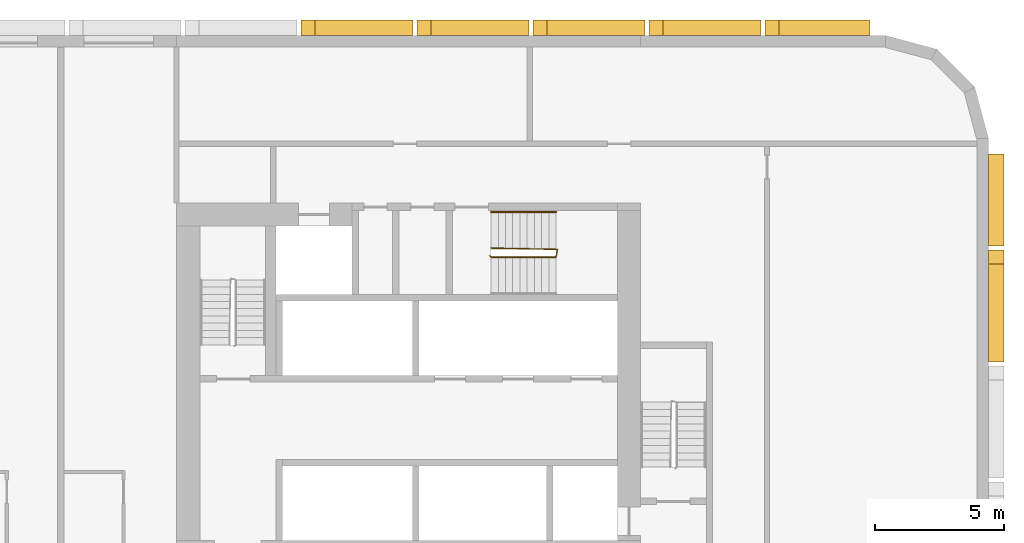
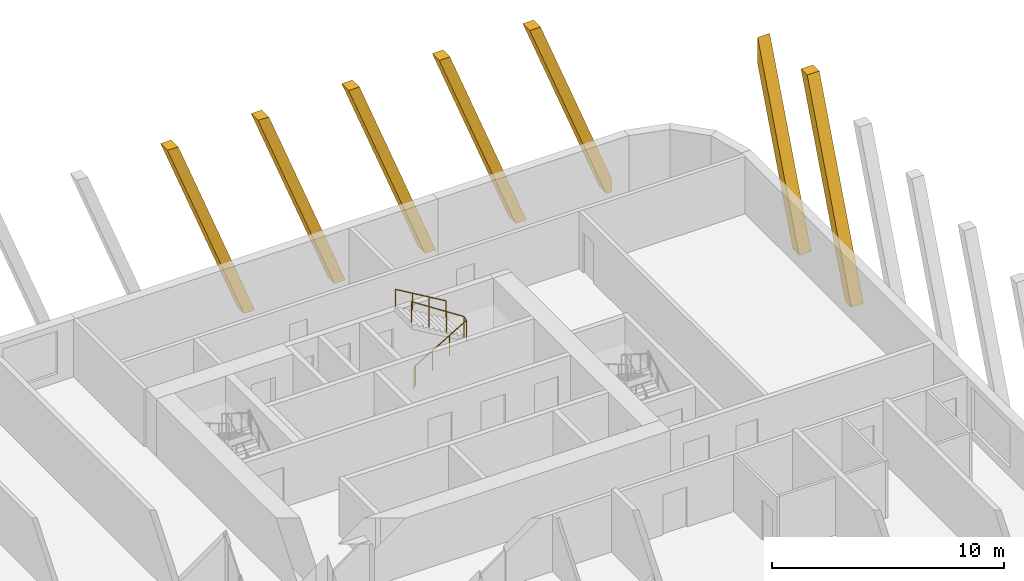
# One storey, part 13 of 13: 7 coverings, 2 railings.
"""IFC4 building model written with IfcOpenShell, lengths in metres."""

from ifc_helpers import new_model, si_unit, direction, frame, origin, origin_2d, place, context, subcontext, project, spatial, polyline, rectangle, circle, outline, extrude, material, material_profile, profile_set, type_object, element, save


model = new_model("IFC4")

# Units and contexts
model_context = context("Model", 3, precision=1e-05, world=origin(), true_north=direction((0.0, 1.0)))
body_context = subcontext(model_context, "Body", "Model", "MODEL_VIEW")
ifc_project = project(units=[si_unit("LENGTHUNIT", "METRE"), si_unit("AREAUNIT", "SQUARE_METRE"), si_unit("VOLUMEUNIT", "CUBIC_METRE"), si_unit("PLANEANGLEUNIT", "RADIAN"), si_unit("MASSUNIT", "GRAM", prefix="KILO")], contexts=[model_context])

# Site, building, storey
site_placement = place(None, origin())
site = spatial("IfcSite", under=ifc_project, at=site_placement, CompositionType="ELEMENT")
building_placement = place(site_placement, origin())
building = spatial("IfcBuilding", under=site, at=building_placement, Name="Kajstack Hotel Tower", CompositionType="ELEMENT")
storey_placement = place(building_placement, frame((0.0, 0.0, 60.0)))
storey = spatial("IfcBuildingStorey", under=building, at=storey_placement, Name="L09", CompositionType="ELEMENT", Elevation=60.0)

# Coverings
ifc_material_1 = material(Name="Terracotta", Category="masonry")
ifc_material_profile = material_profile(ifc_material_1, rectangle(XDim=0.60009765625, YDim=0.5, at=origin_2d()), Name="Terracotta-clad concrete baguette 500 x 600")
ifc_profile_set = profile_set([ifc_material_profile], Name="Terracotta")
covering_type = type_object("IfcCoveringType", Name="BAGUETTE 500x600", PredefinedType="CLADDING", material=ifc_profile_set)
covering_1_placement = place(storey_placement, frame((45.0, 9.332275390625, 0.0), z_axis=(1.0, 0.0, 0.0), x_axis=(0.0, 1.0, 0.0)))
element("IfcCovering", 1, at=covering_1_placement, inside=storey, type_object=covering_type, Name="Baguette L09-07-024", PredefinedType="CLADDING", context=body_context, shape_type="SweptSolid", body=[
    extrude(outline(polyline([(3.80029296875, 9.89990234375), (0.0, 0.0), (0.53564453125, 0.0), (4.3359375, 9.89990234375), (3.80029296875, 9.89990234375)])), origin(), (0.0, 0.0, 1.0), 0.60009765625),
])
covering_2_placement = place(storey_placement, frame((45.0, 13.832275390625, 0.0), z_axis=(1.0, 0.0, 0.0), x_axis=(0.0, 1.0, 0.0)))
element("IfcCovering", 2, at=covering_2_placement, inside=storey, type_object=covering_type, Name="Baguette L09-07-028", PredefinedType="CLADDING", context=body_context, shape_type="SweptSolid", body=[
    extrude(outline(polyline([(0.53564453125, 0.0), (3.56787109375, 7.899169921875), (3.56787109375, 9.29443359375), (0.0, 0.0), (0.53564453125, 0.0)])), origin(), (0.0, 0.0, 1.0), 0.60009765625),
])
covering_3_placement = place(storey_placement, frame((40.39990234375, 22.0, 0.0), z_axis=(0.0, 1.0, 0.0), x_axis=(-1.0, 0.0, 0.0)))
element("IfcCovering", 3, at=covering_3_placement, inside=storey, type_object=covering_type, Name="Baguette L09-11-000", PredefinedType="CLADDING", context=body_context, shape_type="SweptSolid", body=[
    extrude(outline(polyline([(3.532470703125, 9.89990234375), (0.0, 0.697509765625), (0.0, 0.0), (0.267822265625, 0.0), (4.068115234375, 9.89990234375), (3.532470703125, 9.89990234375)])), origin(), (0.0, 0.0, 1.0), 0.60009765625),
])
for number, where, z_axis, x_axis, name in (
    (4, (36.167724609375, 22.0, 0.0), (0.0, 1.0, 0.0), (-1.0, 0.0, 0.0), "Baguette L09-11-004"),
    (5, (31.667724609375, 22.0, 0.0), (0.0, 1.0, 0.0), (-1.0, 0.0, 0.0), "Baguette L09-11-008"),
    (6, (27.167724609375, 22.0, 0.0), (0.0, 1.0, 0.0), (-1.0, 0.0, 0.0), "Baguette L09-11-012"),
    (7, (22.667724609375, 22.0, 0.0), (0.0, 1.0, 0.0), (-1.0, 0.0, 0.0), "Baguette L09-11-016"),
):
    element("IfcCovering", number, at=place(storey_placement, frame(where, z_axis=z_axis, x_axis=x_axis)), inside=storey, type_object=covering_type, Name=name, PredefinedType="CLADDING", context=body_context, shape_type="SweptSolid", body=[
        extrude(outline(polyline([(3.80029296875, 9.89990234375), (0.0, 0.0), (0.53564453125, 0.0), (4.3359375, 9.89990234375), (3.80029296875, 9.89990234375)])), origin(), (0.0, 0.0, 1.0), 0.60009765625),
    ])

# Railings
ifc_material_2 = material(Name="Steel S355J2", Category="steel")
railing_type_1 = type_object("IfcRailingType", Name="Stair guard 1100", PredefinedType="GUARDRAIL", material=ifc_material_2)
railing_1_placement = place(storey_placement, frame((25.64990234375, 13.449951171875, 0.0)))
element("IfcRailing", 8, at=railing_1_placement, inside=storey, type_object=railing_type_1, Name="L09 E3 stair guard 1", PredefinedType="GUARDRAIL", context=body_context, shape_type="SweptSolid", body=[
    extrude(circle(Radius=0.02392578125, at=origin_2d()), frame((0.0, 0.0, 1.076171875), z_axis=(0.278705021027, -0.278705021027, 0.919046801044), x_axis=(0.707106781187, 0.707106781187, 0.0)), (0.0, 0.0, 1.0), 0.1796875),
    extrude(circle(Radius=0.02392578125, at=origin_2d()), frame((0.050048828125, -0.050048828125, 1.2412109375), z_axis=(0.861560626758, 0.0, 0.507654692109), x_axis=(0.0, 1.0, 0.0)), (0.0, 0.0, 1.0), 2.925048828125),
    extrude(circle(Radius=0.02392578125, at=origin_2d()), frame((2.570068359375, -0.050048828125, 2.72607421875), z_axis=(0.164529134168, 0.986372223864, 0.0), x_axis=(-0.986372223864, 0.164529134168, 0.0)), (0.0, 0.0, 1.0), 0.30419921875),
    extrude(circle(Radius=0.02392578125, at=origin_2d()), frame((2.6201171875, 0.25, 2.72607421875), z_axis=(-0.84136925563, 0.016384601254, 0.540212292087), x_axis=(-0.019470042781, -0.999810440751, 0.0)), (0.0, 0.0, 1.0), 3.0546875),
    extrude(circle(Radius=0.02099609375, at=origin_2d()), origin(), (0.0, 0.0, 1.0), 1.052001953125),
    extrude(circle(Radius=0.02099609375, at=origin_2d()), frame((0.050048828125, -0.050048828125, 0.1650390625)), (0.0, 0.0, 1.0), 1.052001953125),
    extrude(circle(Radius=0.02099609375, at=origin_2d()), frame((0.89013671875, -0.050048828125, 0.659912109375)), (0.0, 0.0, 1.0), 1.052001953125),
    extrude(circle(Radius=0.02099609375, at=origin_2d()), frame((1.72998046875, -0.050048828125, 1.155029296875)), (0.0, 0.0, 1.0), 1.052001953125),
    extrude(circle(Radius=0.02099609375, at=origin_2d()), frame((2.570068359375, -0.050048828125, 1.64990234375)), (0.0, 0.0, 1.0), 1.052001953125),
    extrude(circle(Radius=0.02099609375, at=origin_2d()), frame((2.6201171875, 0.25, 1.64990234375)), (0.0, 0.0, 1.0), 1.052001953125),
    extrude(circle(Radius=0.02099609375, at=origin_2d()), frame((1.763427734375, 0.2666015625, 2.199951171875)), (0.0, 0.0, 1.0), 1.052001953125),
    extrude(circle(Radius=0.02099609375, at=origin_2d()), frame((0.90673828125, 0.283447265625, 2.75)), (0.0, 0.0, 1.0), 1.052001953125),
    extrude(circle(Radius=0.02099609375, at=origin_2d()), frame((0.050048828125, 0.300048828125, 3.300048828125)), (0.0, 0.0, 1.0), 1.052001953125),
])
railing_type_2 = type_object("IfcRailingType", Name="Stair handrail 900", PredefinedType="HANDRAIL", material=ifc_material_2)
railing_2_placement = place(storey_placement, frame((28.219970703125, 15.14990234375, 1.81494140625)))
element("IfcRailing", 9, at=railing_2_placement, inside=storey, type_object=railing_type_2, Name="L09 E3 stair handrail 2", PredefinedType="HANDRAIL", context=body_context, shape_type="SweptSolid", body=[
    extrude(circle(Radius=0.02392578125, at=origin_2d()), frame((0.0, 0.0, 0.8759765625), z_axis=(-0.86152411907, 0.0, 0.507716645641), x_axis=(0.0, -1.0, 0.0)), (0.0, 0.0, 1.0), 2.925048828125),
    extrude(circle(Radius=0.02099609375, at=origin_2d()), origin(), (0.0, 0.0, 1.0), 0.851806640625),
    extrude(circle(Radius=0.02099609375, at=origin_2d()), frame((-0.840087890625, 0.0, 0.4951171875)), (0.0, 0.0, 1.0), 0.851806640625),
    extrude(circle(Radius=0.02099609375, at=origin_2d()), frame((-1.679931640625, 0.0, 0.989990234375)), (0.0, 0.0, 1.0), 0.851806640625),
    extrude(circle(Radius=0.02099609375, at=origin_2d()), frame((-2.52001953125, 0.0, 1.485107421875)), (0.0, 0.0, 1.0), 0.851806640625),
])

save(model, "model.ifc")
